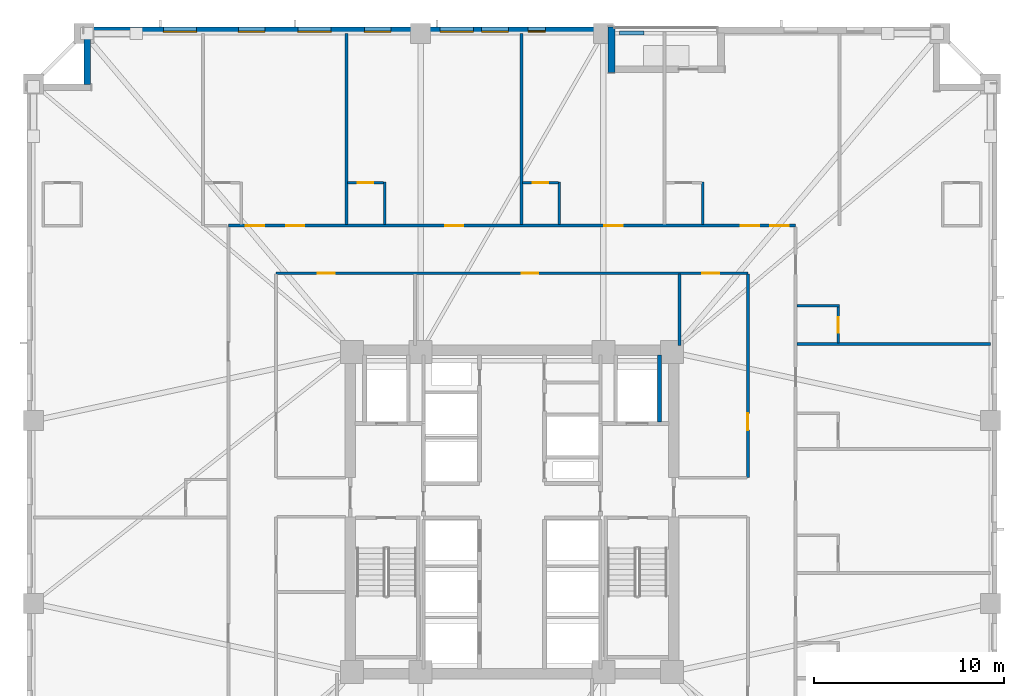
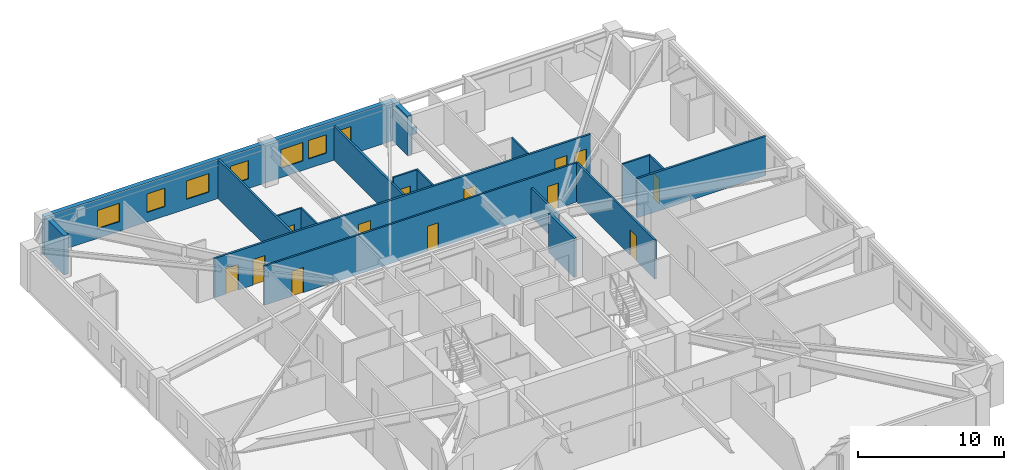
# One storey, part 6 of 11: 19 walls, 13 doors, 7 windows, 20 openings.
"""IFC4 building model written with IfcOpenShell, lengths in metres."""

from ifc_helpers import new_model, si_unit, direction, frame, frame_2d, origin, place, context, subcontext, project, spatial, rectangle, extrude, material, layer, layer_set, type_object, element, fill, save


model = new_model("IFC4")

# Units and contexts
model_context = context("Model", 3, precision=1e-05, world=origin(), true_north=direction((0.0, 1.0)))
body_context = subcontext(model_context, "Body", "Model", "MODEL_VIEW")
ifc_project = project(units=[si_unit("LENGTHUNIT", "METRE"), si_unit("AREAUNIT", "SQUARE_METRE"), si_unit("VOLUMEUNIT", "CUBIC_METRE"), si_unit("PLANEANGLEUNIT", "RADIAN"), si_unit("MASSUNIT", "GRAM", prefix="KILO")], contexts=[model_context])

# Site, building, storey
site_placement = place(None, origin())
site = spatial("IfcSite", under=ifc_project, at=site_placement, CompositionType="ELEMENT")
building_placement = place(site_placement, origin())
building = spatial("IfcBuilding", under=site, at=building_placement, Name="Cairnveth Concourse Tower", CompositionType="ELEMENT")
storey_placement = place(building_placement, frame((0.0, 0.0, 86.5)))
storey = spatial("IfcBuildingStorey", under=building, at=storey_placement, Name="L23", CompositionType="ELEMENT", Elevation=86.5)

# Wall, openings, doors
ifc_material_1 = material(Name="Gypsum Plasterboard Partition", Category="gypsum")
ifc_layer_1 = layer(ifc_material_1, 0.159912109375)
ifc_layer_set_1 = layer_set([ifc_layer_1], Name="Gypsum Plasterboard Partition")
wall_type_1 = type_object("IfcWallType", Name="ACOUSTIC PARTY WALL 180", PredefinedType="PARTITIONING", material=ifc_layer_set_1)
wall_1_placement = place(storey_placement, frame((37.10009765625, 54.050048828125, 0.0), z_axis=(0.0, 0.0, 1.0), x_axis=(1.0, 0.0, 0.0)))
wall_1 = element("IfcWall", 1, at=wall_1_placement, inside=storey, type_object=wall_type_1, Name="Interior Wall IW-L23-039", PredefinedType="PARTITIONING", context=body_context, shape_type="SweptSolid", body=[
    extrude(rectangle(XDim=29.7998046875, YDim=0.159912109375, at=frame_2d((14.89990234375, 0.0))), origin(), (0.0, 0.0, 1.0), 3.280029296875),
])
opening_1_placement = place(wall_1_placement, frame((0.909912109375, 0.0, 0.0)))
opening_1 = element("IfcOpeningElement", 2, at=opening_1_placement, cuts=wall_1, Name="Opening ID09", PredefinedType="OPENING", context=body_context, shape_type="SweptSolid", body=[
    extrude(rectangle(XDim=0.9599609375, YDim=2.14990234375, at=frame_2d((0.47998046875, 1.074951171875))), frame((0.0, 0.08984375, 0.0), z_axis=(0.0, -1.0, 0.0), x_axis=(1.0, 0.0, 0.0)), (0.0, 0.0, 1.0), 0.179931640625),
])
opening_2_placement = place(wall_1_placement, frame((3.030029296875, 0.0, 0.0)))
opening_2 = element("IfcOpeningElement", 3, at=opening_2_placement, cuts=wall_1, Name="Opening ID09", PredefinedType="OPENING", context=body_context, shape_type="SweptSolid", body=[
    extrude(rectangle(XDim=0.9599609375, YDim=2.14990234375, at=frame_2d((0.47998046875, 1.074951171875))), frame((0.0, 0.08984375, 0.0), z_axis=(0.0, -1.0, 0.0), x_axis=(1.0, 0.0, 0.0)), (0.0, 0.0, 1.0), 0.179931640625),
])
opening_3_placement = place(wall_1_placement, frame((11.389892578125, 0.0, 0.0)))
opening_3 = element("IfcOpeningElement", 4, at=opening_3_placement, cuts=wall_1, Name="Opening ID09", PredefinedType="OPENING", context=body_context, shape_type="SweptSolid", body=[
    extrude(rectangle(XDim=0.9599609375, YDim=2.14990234375, at=frame_2d((0.47998046875, 1.074951171875))), frame((0.0, 0.08984375, 0.0), z_axis=(0.0, -1.0, 0.0), x_axis=(1.0, 0.0, 0.0)), (0.0, 0.0, 1.0), 0.179931640625),
])
opening_4_placement = place(wall_1_placement, frame((19.75, 0.0, 0.0)))
opening_4 = element("IfcOpeningElement", 5, at=opening_4_placement, cuts=wall_1, Name="Opening ID09", PredefinedType="OPENING", context=body_context, shape_type="SweptSolid", body=[
    extrude(rectangle(XDim=0.9599609375, YDim=2.14990234375, at=frame_2d((0.47998046875, 1.074951171875))), frame((0.0, 0.08984375, 0.0), z_axis=(0.0, -1.0, 0.0), x_axis=(1.0, 0.0, 0.0)), (0.0, 0.0, 1.0), 0.179931640625),
])
opening_5_placement = place(wall_1_placement, frame((26.931396484375, 0.0, 0.0)))
opening_5 = element("IfcOpeningElement", 6, at=opening_5_placement, cuts=wall_1, Name="Opening ID09", PredefinedType="OPENING", context=body_context, shape_type="SweptSolid", body=[
    extrude(rectangle(XDim=0.9599609375, YDim=2.14990234375, at=frame_2d((0.47998046875, 1.074951171875))), frame((0.0, 0.08984375, 0.0), z_axis=(0.0, -1.0, 0.0), x_axis=(1.0, 0.0, 0.0)), (0.0, 0.0, 1.0), 0.179931640625),
])
opening_6_placement = place(wall_1_placement, frame((28.47998046875, 0.0, 0.0)))
opening_6 = element("IfcOpeningElement", 7, at=opening_6_placement, cuts=wall_1, Name="Opening ID09", PredefinedType="OPENING", context=body_context, shape_type="SweptSolid", body=[
    extrude(rectangle(XDim=0.9599609375, YDim=2.14990234375, at=frame_2d((0.47998046875, 1.074951171875))), frame((0.0, 0.08984375, 0.0), z_axis=(0.0, -1.0, 0.0), x_axis=(1.0, 0.0, 0.0)), (0.0, 0.0, 1.0), 0.179931640625),
])
ifc_material_2 = material(Name="Solid Core Hardwood Timber Leaf", Category="wood")
door_type_1 = type_object("IfcDoorType", Name="HOTEL ENTRANCE DOOR 960X2150", OperationType="NOTDEFINED", PredefinedType="DOOR", material=ifc_material_2)
door_1_placement = place(opening_1_placement, origin())
door_1 = element("IfcDoor", 8, at=door_1_placement, inside=storey, type_object=door_type_1, Name="Hotel Room Door L23-N1", OperationType="SINGLE_SWING_RIGHT", OverallHeight=2.14990234375, OverallWidth=0.9599609375, PredefinedType="DOOR", context=body_context, shape_type="SweptSolid", body=[
    extrude(rectangle(XDim=0.9599609375, YDim=2.14990234375, at=frame_2d((0.47998046875, 1.074951171875))), frame((0.0, 0.02490234375, 0.0), z_axis=(0.0, -1.0, 0.0), x_axis=(1.0, 0.0, 0.0)), (0.0, 0.0, 1.0), 0.050048828125),
])
fill(opening_1, door_1)
door_2_placement = place(opening_2_placement, origin())
door_2 = element("IfcDoor", 9, at=door_2_placement, inside=storey, type_object=door_type_1, Name="Hotel Room Door L23-N2", OperationType="SINGLE_SWING_RIGHT", OverallHeight=2.14990234375, OverallWidth=0.9599609375, PredefinedType="DOOR", context=body_context, shape_type="SweptSolid", body=[
    extrude(rectangle(XDim=0.9599609375, YDim=2.14990234375, at=frame_2d((0.47998046875, 1.074951171875))), frame((0.0, 0.02490234375, 0.0), z_axis=(0.0, -1.0, 0.0), x_axis=(1.0, 0.0, 0.0)), (0.0, 0.0, 1.0), 0.050048828125),
])
fill(opening_2, door_2)
door_3_placement = place(opening_3_placement, origin())
door_3 = element("IfcDoor", 10, at=door_3_placement, inside=storey, type_object=door_type_1, Name="Hotel Room Door L23-N3", OperationType="SINGLE_SWING_RIGHT", OverallHeight=2.14990234375, OverallWidth=0.9599609375, PredefinedType="DOOR", context=body_context, shape_type="SweptSolid", body=[
    extrude(rectangle(XDim=0.9599609375, YDim=2.14990234375, at=frame_2d((0.47998046875, 1.074951171875))), frame((0.0, 0.02490234375, 0.0), z_axis=(0.0, -1.0, 0.0), x_axis=(1.0, 0.0, 0.0)), (0.0, 0.0, 1.0), 0.050048828125),
])
fill(opening_3, door_3)
door_4_placement = place(opening_4_placement, origin())
door_4 = element("IfcDoor", 11, at=door_4_placement, inside=storey, type_object=door_type_1, Name="Hotel Room Door L23-N4", OperationType="SINGLE_SWING_RIGHT", OverallHeight=2.14990234375, OverallWidth=0.9599609375, PredefinedType="DOOR", context=body_context, shape_type="SweptSolid", body=[
    extrude(rectangle(XDim=0.9599609375, YDim=2.14990234375, at=frame_2d((0.47998046875, 1.074951171875))), frame((0.0, 0.02490234375, 0.0), z_axis=(0.0, -1.0, 0.0), x_axis=(1.0, 0.0, 0.0)), (0.0, 0.0, 1.0), 0.050048828125),
])
fill(opening_4, door_4)
door_5_placement = place(opening_5_placement, origin())
door_5 = element("IfcDoor", 12, at=door_5_placement, inside=storey, type_object=door_type_1, Name="Hotel Room Door L23-N5", OperationType="SINGLE_SWING_RIGHT", OverallHeight=2.14990234375, OverallWidth=0.9599609375, PredefinedType="DOOR", context=body_context, shape_type="SweptSolid", body=[
    extrude(rectangle(XDim=0.9599609375, YDim=2.14990234375, at=frame_2d((0.47998046875, 1.074951171875))), frame((0.0, 0.02490234375, 0.0), z_axis=(0.0, -1.0, 0.0), x_axis=(1.0, 0.0, 0.0)), (0.0, 0.0, 1.0), 0.050048828125),
])
fill(opening_5, door_5)
door_6_placement = place(opening_6_placement, origin())
door_6 = element("IfcDoor", 13, at=door_6_placement, inside=storey, type_object=door_type_1, Name="Hotel Room Door L23-N6", OperationType="SINGLE_SWING_RIGHT", OverallHeight=2.14990234375, OverallWidth=0.9599609375, PredefinedType="DOOR", context=body_context, shape_type="SweptSolid", body=[
    extrude(rectangle(XDim=0.9599609375, YDim=2.14990234375, at=frame_2d((0.47998046875, 1.074951171875))), frame((0.0, 0.02490234375, 0.0), z_axis=(0.0, -1.0, 0.0), x_axis=(1.0, 0.0, 0.0)), (0.0, 0.0, 1.0), 0.050048828125),
])
fill(opening_6, door_6)

# Walls
wall_2_placement = place(storey_placement, frame((43.302490234375, 54.114990234375, 0.0), z_axis=(0.0, 0.0, 1.0), x_axis=(0.0, 1.0, 0.0)))
element("IfcWall", 14, at=wall_2_placement, inside=storey, type_object=wall_type_1, Name="Interior Wall IW-L23-075", PredefinedType="PARTITIONING", context=body_context, shape_type="SweptSolid", body=[
    extrude(rectangle(XDim=10.0400390625, YDim=0.159912109375, at=frame_2d((5.02001953125, 0.0))), origin(), (0.0, 0.0, 1.0), 3.280029296875),
])
wall_3_placement = place(storey_placement, frame((52.487548828125, 54.114990234375, 0.0), z_axis=(0.0, 0.0, 1.0), x_axis=(0.0, 1.0, 0.0)))
element("IfcWall", 15, at=wall_3_placement, inside=storey, type_object=wall_type_1, Name="Interior Wall IW-L23-078", PredefinedType="PARTITIONING", context=body_context, shape_type="SweptSolid", body=[
    extrude(rectangle(XDim=10.0400390625, YDim=0.159912109375, at=frame_2d((5.02001953125, 0.0))), origin(), (0.0, 0.0, 1.0), 2.84912109375),
])
wall_4_placement = place(storey_placement, frame((66.965087890625, 47.827392578125, 0.0), z_axis=(0.0, 0.0, 1.0), x_axis=(1.0, 0.0, 0.0)))
element("IfcWall", 16, at=wall_4_placement, inside=storey, type_object=wall_type_1, Name="Interior Wall IW-L23-107", PredefinedType="PARTITIONING", context=body_context, shape_type="SweptSolid", body=[
    extrude(rectangle(XDim=10.18994140625, YDim=0.159912109375, at=frame_2d((5.094970703125, 0.0))), origin(), (0.0, 0.0, 1.0), 3.280029296875),
])
ifc_material_3 = material(Name="Concrete N50 (50 MPa)", Category="concrete")
ifc_layer_2 = layer(ifc_material_3, 0.199951171875)
ifc_layer_set_2 = layer_set([ifc_layer_2], Name="Concrete N50 (50 MPa)")
wall_type_2 = type_object("IfcWallType", Name="FIRE SHAFT WALL 200", PredefinedType="SOLIDWALL", material=ifc_layer_set_2)
wall_5_placement = place(storey_placement, frame((59.75, 43.735107421875, 0.0), z_axis=(0.0, 0.0, 1.0), x_axis=(0.0, 1.0, 0.0)))
element("IfcWall", 17, at=wall_5_placement, inside=storey, type_object=wall_type_2, Name="Interior Wall IW-L23-024", PredefinedType="SOLIDWALL", context=body_context, shape_type="SweptSolid", body=[
    extrude(rectangle(XDim=3.5048828125, YDim=0.199951171875, at=frame_2d((1.75244140625, 0.0))), origin(), (0.0, 0.0, 1.0), 3.280029296875),
])

# Wall, openings, doors
ifc_layer_3 = layer(ifc_material_1, 0.139892578125)
ifc_layer_set_3 = layer_set([ifc_layer_3], Name="Gypsum Plasterboard Partition")
wall_type_3 = type_object("IfcWallType", Name="GYPSUM STUD PARTITION 140", PredefinedType="PARTITIONING", material=ifc_layer_set_3)
wall_6_placement = place(storey_placement, frame((39.60009765625, 51.550048828125, 0.0), z_axis=(0.0, 0.0, 1.0), x_axis=(1.0, 0.0, 0.0)))
wall_6 = element("IfcWall", 18, at=wall_6_placement, inside=storey, type_object=wall_type_3, Name="Interior Wall IW-L23-043", PredefinedType="PARTITIONING", context=body_context, shape_type="SweptSolid", body=[
    extrude(rectangle(XDim=24.7998046875, YDim=0.139892578125, at=frame_2d((12.39990234375, 0.0))), origin(), (0.0, 0.0, 1.0), 3.280029296875),
])
opening_7_placement = place(wall_6_placement, frame((2.199951171875, 0.0, 0.0)))
opening_7 = element("IfcOpeningElement", 19, at=opening_7_placement, cuts=wall_6, Name="Opening ID18", PredefinedType="OPENING", context=body_context, shape_type="SweptSolid", body=[
    extrude(rectangle(XDim=0.8798828125, YDim=2.10009765625, at=frame_2d((0.43994140625, 1.050048828125))), frame((0.0, 0.079833984375, 0.0), z_axis=(0.0, -1.0, 0.0), x_axis=(1.0, 0.0, 0.0)), (0.0, 0.0, 1.0), 0.159912109375),
])
opening_8_placement = place(wall_6_placement, frame((12.89990234375, 0.0, 0.0)))
opening_8 = element("IfcOpeningElement", 20, at=opening_8_placement, cuts=wall_6, Name="Opening ID18", PredefinedType="OPENING", context=body_context, shape_type="SweptSolid", body=[
    extrude(rectangle(XDim=0.8798828125, YDim=2.10009765625, at=frame_2d((0.43994140625, 1.050048828125))), frame((0.0, 0.079833984375, 0.0), z_axis=(0.0, -1.0, 0.0), x_axis=(1.0, 0.0, 0.0)), (0.0, 0.0, 1.0), 0.159912109375),
])
opening_9_placement = place(wall_6_placement, frame((22.39990234375, 0.0, 0.0)))
opening_9 = element("IfcOpeningElement", 21, at=opening_9_placement, cuts=wall_6, Name="Opening ID18", PredefinedType="OPENING", context=body_context, shape_type="SweptSolid", body=[
    extrude(rectangle(XDim=0.8798828125, YDim=2.10009765625, at=frame_2d((0.43994140625, 1.050048828125))), frame((0.0, 0.079833984375, 0.0), z_axis=(0.0, -1.0, 0.0), x_axis=(1.0, 0.0, 0.0)), (0.0, 0.0, 1.0), 0.159912109375),
])
door_type_2 = type_object("IfcDoorType", Name="INTERIOR SINGLE DOOR 880X2100", OperationType="NOTDEFINED", PredefinedType="DOOR", material=ifc_material_2)
door_7_placement = place(opening_7_placement, origin())
door_7 = element("IfcDoor", 22, at=door_7_placement, inside=storey, type_object=door_type_2, Name="Interior Door DR-L23-017", OperationType="SINGLE_SWING_LEFT", OverallHeight=2.10009765625, OverallWidth=0.8798828125, PredefinedType="DOOR", context=body_context, shape_type="SweptSolid", body=[
    extrude(rectangle(XDim=0.8798828125, YDim=2.10009765625, at=frame_2d((0.43994140625, 1.050048828125))), frame((0.0, 0.02490234375, 0.0), z_axis=(0.0, -1.0, 0.0), x_axis=(1.0, 0.0, 0.0)), (0.0, 0.0, 1.0), 0.050048828125),
])
fill(opening_7, door_7)
door_8_placement = place(opening_8_placement, origin())
door_8 = element("IfcDoor", 23, at=door_8_placement, inside=storey, type_object=door_type_2, Name="Interior Door DR-L23-018", OperationType="SINGLE_SWING_RIGHT", OverallHeight=2.10009765625, OverallWidth=0.8798828125, PredefinedType="DOOR", context=body_context, shape_type="SweptSolid", body=[
    extrude(rectangle(XDim=0.8798828125, YDim=2.10009765625, at=frame_2d((0.43994140625, 1.050048828125))), frame((0.0, 0.02490234375, 0.0), z_axis=(0.0, -1.0, 0.0), x_axis=(1.0, 0.0, 0.0)), (0.0, 0.0, 1.0), 0.050048828125),
])
fill(opening_8, door_8)
door_9_placement = place(opening_9_placement, origin())
door_9 = element("IfcDoor", 24, at=door_9_placement, inside=storey, type_object=door_type_2, Name="Interior Door DR-L23-019", OperationType="SINGLE_SWING_LEFT", OverallHeight=2.10009765625, OverallWidth=0.8798828125, PredefinedType="DOOR", context=body_context, shape_type="SweptSolid", body=[
    extrude(rectangle(XDim=0.8798828125, YDim=2.10009765625, at=frame_2d((0.43994140625, 1.050048828125))), frame((0.0, 0.02490234375, 0.0), z_axis=(0.0, -1.0, 0.0), x_axis=(1.0, 0.0, 0.0)), (0.0, 0.0, 1.0), 0.050048828125),
])
fill(opening_9, door_9)

# Wall, opening, door
wall_7_placement = place(storey_placement, frame((64.39990234375, 40.800048828125, 0.0), z_axis=(0.0, 0.0, 1.0), x_axis=(0.0, 1.0, 0.0)))
wall_7 = element("IfcWall", 25, at=wall_7_placement, inside=storey, type_object=wall_type_3, Name="Interior Wall IW-L23-049", PredefinedType="PARTITIONING", context=body_context, shape_type="SweptSolid", body=[
    extrude(rectangle(XDim=10.695068359375, YDim=0.139892578125, at=frame_2d((5.34765625, 0.0))), origin(), (0.0, 0.0, 1.0), 3.280029296875),
])
opening_10_placement = place(wall_7_placement, frame((2.5, 0.0, 0.0)))
opening_10 = element("IfcOpeningElement", 26, at=opening_10_placement, cuts=wall_7, Name="Opening ID18", PredefinedType="OPENING", context=body_context, shape_type="SweptSolid", body=[
    extrude(rectangle(XDim=0.8798828125, YDim=2.10009765625, at=frame_2d((0.43994140625, 1.050048828125))), frame((0.0, 0.079833984375, 0.0), z_axis=(0.0, -1.0, 0.0), x_axis=(1.0, 0.0, 0.0)), (0.0, 0.0, 1.0), 0.159912109375),
])
door_10_placement = place(opening_10_placement, origin())
door_10 = element("IfcDoor", 27, at=door_10_placement, inside=storey, type_object=door_type_2, Name="Interior Door DR-L23-024", OperationType="SINGLE_SWING_RIGHT", OverallHeight=2.10009765625, OverallWidth=0.8798828125, PredefinedType="DOOR", context=body_context, shape_type="SweptSolid", body=[
    extrude(rectangle(XDim=0.8798828125, YDim=2.10009765625, at=frame_2d((0.43994140625, 1.050048828125))), frame((0.0, 0.02490234375, 0.0), z_axis=(0.0, -1.0, 0.0), x_axis=(1.0, 0.0, 0.0)), (0.0, 0.0, 1.0), 0.050048828125),
])
fill(opening_10, door_10)

# Walls
wall_8_placement = place(storey_placement, frame((60.800048828125, 47.760009765625, 0.0), z_axis=(0.0, 0.0, 1.0), x_axis=(0.0, 1.0, 0.0)))
element("IfcWall", 28, at=wall_8_placement, inside=storey, type_object=wall_type_3, Name="Interior Wall IW-L23-055", PredefinedType="PARTITIONING", context=body_context, shape_type="SweptSolid", body=[
    extrude(rectangle(XDim=3.735107421875, YDim=0.139892578125, at=frame_2d((1.86767578125, 0.0))), origin(), (0.0, 0.0, 1.0), 2.43896484375),
])
ifc_material_4 = material(Name="Dressed Melbourne Bluestone Cladding", Category="masonry")
ifc_layer_4 = layer(ifc_material_4, 0.219970703125)
ifc_layer_set_4 = layer_set([ifc_layer_4], Name="Dressed Melbourne Bluestone Cladding")
wall_type_4 = type_object("IfcWallType", Name="TERRACE PLANTER CURB WALL 220", PredefinedType="PARAPET", material=ifc_layer_set_4)
wall_9_placement = place(storey_placement, frame((57.64990234375, 64.179931640625, 0.0), z_axis=(0.0, 0.0, 1.0), x_axis=(1.0, 0.0, 0.0)))
element("IfcWall", 29, at=wall_9_placement, inside=storey, type_object=wall_type_4, Name="Exterior Wall PLNT-L23-TERR", PredefinedType="PARAPET", context=body_context, shape_type="SweptSolid", body=[
    extrude(rectangle(XDim=1.300048828125, YDim=0.219970703125, at=frame_2d((0.64990234375, 0.0))), origin(), (0.0, 0.0, 1.0), 0.550048828125),
])
ifc_layer_5 = layer(ifc_material_1, 0.1298828125)
ifc_layer_set_5 = layer_set([ifc_layer_5], Name="Gypsum Plasterboard Partition")
wall_type_5 = type_object("IfcWallType", Name="WET AREA PARTITION 140", PredefinedType="PLUMBINGWALL", material=ifc_layer_set_5)
wall_10_placement = place(storey_placement, frame((45.302490234375, 54.114990234375, 0.0), z_axis=(0.0, 0.0, 1.0), x_axis=(0.0, 1.0, 0.0)))
element("IfcWall", 30, at=wall_10_placement, inside=storey, type_object=wall_type_5, Name="Interior Wall IW-L23-076", PredefinedType="PLUMBINGWALL", context=body_context, shape_type="SweptSolid", body=[
    extrude(rectangle(XDim=2.235107421875, YDim=0.1298828125, at=frame_2d((1.11767578125, 0.0))), origin(), (0.0, 0.0, 1.0), 3.280029296875),
])

# Wall, opening, door
wall_11_placement = place(storey_placement, frame((43.367431640625, 56.300048828125, 0.0), z_axis=(0.0, 0.0, 1.0), x_axis=(1.0, 0.0, 0.0)))
wall_11 = element("IfcWall", 31, at=wall_11_placement, inside=storey, type_object=wall_type_5, Name="Interior Wall IW-L23-077", PredefinedType="PLUMBINGWALL", context=body_context, shape_type="SweptSolid", body=[
    extrude(rectangle(XDim=1.885009765625, YDim=0.1298828125, at=frame_2d((0.9423828125, 0.0))), origin(), (0.0, 0.0, 1.0), 3.280029296875),
])
opening_11_placement = place(wall_11_placement, frame((0.52490234375, 0.0, 0.0)))
opening_11 = element("IfcOpeningElement", 32, at=opening_11_placement, cuts=wall_11, Name="Opening ID22", PredefinedType="OPENING", context=body_context, shape_type="SweptSolid", body=[
    extrude(rectangle(XDim=0.820068359375, YDim=2.10009765625, at=frame_2d((0.41015625, 1.050048828125))), frame((0.0, 0.074951171875, 0.0), z_axis=(0.0, -1.0, 0.0), x_axis=(1.0, 0.0, 0.0)), (0.0, 0.0, 1.0), 0.14990234375),
])
door_type_3 = type_object("IfcDoorType", Name="INTERIOR WC DOOR 820X2100", OperationType="NOTDEFINED", PredefinedType="DOOR", material=ifc_material_2)
door_11_placement = place(opening_11_placement, origin())
door_11 = element("IfcDoor", 33, at=door_11_placement, inside=storey, type_object=door_type_3, Name="En-Suite Door L23-N3", OperationType="SINGLE_SWING_LEFT", OverallHeight=2.10009765625, OverallWidth=0.820068359375, PredefinedType="DOOR", context=body_context, shape_type="SweptSolid", body=[
    extrude(rectangle(XDim=0.820068359375, YDim=2.10009765625, at=frame_2d((0.41015625, 1.050048828125))), frame((0.0, 0.02490234375, 0.0), z_axis=(0.0, -1.0, 0.0), x_axis=(1.0, 0.0, 0.0)), (0.0, 0.0, 1.0), 0.050048828125),
])
fill(opening_11, door_11)

# Wall
wall_12_placement = place(storey_placement, frame((54.487548828125, 54.114990234375, 0.0), z_axis=(0.0, 0.0, 1.0), x_axis=(0.0, 1.0, 0.0)))
element("IfcWall", 34, at=wall_12_placement, inside=storey, type_object=wall_type_5, Name="Interior Wall IW-L23-079", PredefinedType="PLUMBINGWALL", context=body_context, shape_type="SweptSolid", body=[
    extrude(rectangle(XDim=2.235107421875, YDim=0.1298828125, at=frame_2d((1.11767578125, 0.0))), origin(), (0.0, 0.0, 1.0), 3.280029296875),
])

# Wall, opening, door
wall_13_placement = place(storey_placement, frame((52.552490234375, 56.300048828125, 0.0), z_axis=(0.0, 0.0, 1.0), x_axis=(1.0, 0.0, 0.0)))
wall_13 = element("IfcWall", 35, at=wall_13_placement, inside=storey, type_object=wall_type_5, Name="Interior Wall IW-L23-080", PredefinedType="PLUMBINGWALL", context=body_context, shape_type="SweptSolid", body=[
    extrude(rectangle(XDim=1.885009765625, YDim=0.1298828125, at=frame_2d((0.9423828125, 0.0))), origin(), (0.0, 0.0, 1.0), 3.280029296875),
])
opening_12_placement = place(wall_13_placement, frame((0.52490234375, 0.0, 0.0)))
opening_12 = element("IfcOpeningElement", 36, at=opening_12_placement, cuts=wall_13, Name="Opening ID22", PredefinedType="OPENING", context=body_context, shape_type="SweptSolid", body=[
    extrude(rectangle(XDim=0.820068359375, YDim=2.10009765625, at=frame_2d((0.41015625, 1.050048828125))), frame((0.0, 0.074951171875, 0.0), z_axis=(0.0, -1.0, 0.0), x_axis=(1.0, 0.0, 0.0)), (0.0, 0.0, 1.0), 0.14990234375),
])
door_12_placement = place(opening_12_placement, origin())
door_12 = element("IfcDoor", 37, at=door_12_placement, inside=storey, type_object=door_type_3, Name="En-Suite Door L23-N4", OperationType="SINGLE_SWING_LEFT", OverallHeight=2.10009765625, OverallWidth=0.820068359375, PredefinedType="DOOR", context=body_context, shape_type="SweptSolid", body=[
    extrude(rectangle(XDim=0.820068359375, YDim=2.10009765625, at=frame_2d((0.41015625, 1.050048828125))), frame((0.0, 0.02490234375, 0.0), z_axis=(0.0, -1.0, 0.0), x_axis=(1.0, 0.0, 0.0)), (0.0, 0.0, 1.0), 0.050048828125),
])
fill(opening_12, door_12)

# Walls
wall_14_placement = place(storey_placement, frame((62.0224609375, 54.114990234375, 0.0), z_axis=(0.0, 0.0, 1.0), x_axis=(0.0, 1.0, 0.0)))
element("IfcWall", 38, at=wall_14_placement, inside=storey, type_object=wall_type_5, Name="Interior Wall IW-L23-082", PredefinedType="PLUMBINGWALL", context=body_context, shape_type="SweptSolid", body=[
    extrude(rectangle(XDim=2.235107421875, YDim=0.1298828125, at=frame_2d((1.11767578125, 0.0))), origin(), (0.0, 0.0, 1.0), 3.280029296875),
])
wall_15_placement = place(storey_placement, frame((66.965087890625, 49.827392578125, 0.0), z_axis=(0.0, 0.0, 1.0), x_axis=(1.0, 0.0, 0.0)))
element("IfcWall", 39, at=wall_15_placement, inside=storey, type_object=wall_type_5, Name="Interior Wall IW-L23-108", PredefinedType="PLUMBINGWALL", context=body_context, shape_type="SweptSolid", body=[
    extrude(rectangle(XDim=2.23486328125, YDim=0.1298828125, at=frame_2d((1.117431640625, 0.0))), origin(), (0.0, 0.0, 1.0), 3.280029296875),
])

# Wall, opening, door
wall_16_placement = place(storey_placement, frame((69.14990234375, 47.892578125, 0.0), z_axis=(0.0, 0.0, 1.0), x_axis=(0.0, 1.0, 0.0)))
wall_16 = element("IfcWall", 40, at=wall_16_placement, inside=storey, type_object=wall_type_5, Name="Interior Wall IW-L23-109", PredefinedType="PLUMBINGWALL", context=body_context, shape_type="SweptSolid", body=[
    extrude(rectangle(XDim=1.885009765625, YDim=0.1298828125, at=frame_2d((0.9423828125, 0.0))), origin(), (0.0, 0.0, 1.0), 3.280029296875),
])
opening_13_placement = place(wall_16_placement, frame((0.52490234375, 0.0, 0.0)))
opening_13 = element("IfcOpeningElement", 41, at=opening_13_placement, cuts=wall_16, Name="Opening ID22", PredefinedType="OPENING", context=body_context, shape_type="SweptSolid", body=[
    extrude(rectangle(XDim=0.820068359375, YDim=2.10009765625, at=frame_2d((0.41015625, 1.050048828125))), frame((0.0, 0.074951171875, 0.0), z_axis=(0.0, -1.0, 0.0), x_axis=(1.0, 0.0, 0.0)), (0.0, 0.0, 1.0), 0.14990234375),
])
door_13_placement = place(opening_13_placement, origin())
door_13 = element("IfcDoor", 42, at=door_13_placement, inside=storey, type_object=door_type_3, Name="En-Suite Door L23-E5", OperationType="SINGLE_SWING_LEFT", OverallHeight=2.10009765625, OverallWidth=0.820068359375, PredefinedType="DOOR", context=body_context, shape_type="SweptSolid", body=[
    extrude(rectangle(XDim=0.820068359375, YDim=2.10009765625, at=frame_2d((0.41015625, 1.050048828125))), frame((0.0, 0.02490234375, 0.0), z_axis=(0.0, -1.0, 0.0), x_axis=(1.0, 0.0, 0.0)), (0.0, 0.0, 1.0), 0.050048828125),
])
fill(opening_13, door_13)

# Wall
ifc_material_5 = material(Name="Hawthorn Red-Ochre Fired Clay Brick Masonry", Category="masonry")
ifc_layer_6 = layer(ifc_material_5, 0.360107421875)
ifc_layer_set_6 = layer_set([ifc_layer_6], Name="Hawthorn Red-Ochre Fired Clay Brick Masonry")
wall_type_6 = type_object("IfcWallType", Name="ZONE 1 BRICK PIER SPANDREL WALL 360", PredefinedType="SOLIDWALL", material=ifc_layer_set_6)
wall_17_placement = place(storey_placement, frame((29.679931640625, 61.47802734375, 0.0), z_axis=(0.0, 0.0, 1.0), x_axis=(0.0, 1.0, 0.0)))
element("IfcWall", 43, at=wall_17_placement, inside=storey, type_object=wall_type_6, Name="Exterior Wall EW-L23-S11", PredefinedType="SOLIDWALL", context=body_context, shape_type="SweptSolid", body=[
    extrude(rectangle(XDim=2.68408203125, YDim=0.360107421875, at=frame_2d((1.342041015625, 0.0))), origin(), (0.0, 0.0, 1.0), 3.280029296875),
])

# Wall, openings, windows
wall_18_placement = place(storey_placement, frame((29.5, 64.320068359375, 0.0), z_axis=(0.0, 0.0, 1.0), x_axis=(1.0, 0.0, 0.0)))
wall_18 = element("IfcWall", 44, at=wall_18_placement, inside=storey, type_object=wall_type_6, Name="Exterior Wall EW-L23-S12", PredefinedType="SOLIDWALL", context=body_context, shape_type="SweptSolid", body=[
    extrude(rectangle(XDim=27.56201171875, YDim=0.360107421875, at=frame_2d((13.781005859375, 0.0))), origin(), (0.0, 0.0, 1.0), 3.280029296875),
])
opening_14_placement = place(wall_18_placement, frame((4.18017578125, 0.0, 0.800048828125)))
opening_14 = element("IfcOpeningElement", 45, at=opening_14_placement, cuts=wall_18, Name="Opening W06", PredefinedType="OPENING", context=body_context, shape_type="SweptSolid", body=[
    extrude(rectangle(XDim=1.75, YDim=1.5439453125, at=frame_2d((0.875, 0.77197265625))), frame((0.0, 0.18994140625, 0.0), z_axis=(0.0, -1.0, 0.0), x_axis=(1.0, 0.0, 0.0)), (0.0, 0.0, 1.0), 0.380126953125),
])
opening_15_placement = place(wall_18_placement, frame((8.115478515625, 0.0, 0.800048828125)))
opening_15 = element("IfcOpeningElement", 46, at=opening_15_placement, cuts=wall_18, Name="Opening W05", PredefinedType="OPENING", context=body_context, shape_type="SweptSolid", body=[
    extrude(rectangle(XDim=1.39990234375, YDim=1.5439453125, at=frame_2d((0.699951171875, 0.77197265625))), frame((0.0, 0.18994140625, 0.0), z_axis=(0.0, -1.0, 0.0), x_axis=(1.0, 0.0, 0.0)), (0.0, 0.0, 1.0), 0.380126953125),
])
opening_16_placement = place(wall_18_placement, frame((11.250732421875, 0.0, 0.800048828125)))
opening_16 = element("IfcOpeningElement", 47, at=opening_16_placement, cuts=wall_18, Name="Opening W06", PredefinedType="OPENING", context=body_context, shape_type="SweptSolid", body=[
    extrude(rectangle(XDim=1.75, YDim=1.5439453125, at=frame_2d((0.875, 0.77197265625))), frame((0.0, 0.18994140625, 0.0), z_axis=(0.0, -1.0, 0.0), x_axis=(1.0, 0.0, 0.0)), (0.0, 0.0, 1.0), 0.380126953125),
])
opening_17_placement = place(wall_18_placement, frame((14.736083984375, 0.0, 0.800048828125)))
opening_17 = element("IfcOpeningElement", 48, at=opening_17_placement, cuts=wall_18, Name="Opening W05", PredefinedType="OPENING", context=body_context, shape_type="SweptSolid", body=[
    extrude(rectangle(XDim=1.39990234375, YDim=1.5439453125, at=frame_2d((0.699951171875, 0.77197265625))), frame((0.0, 0.18994140625, 0.0), z_axis=(0.0, -1.0, 0.0), x_axis=(1.0, 0.0, 0.0)), (0.0, 0.0, 1.0), 0.380126953125),
])
opening_18_placement = place(wall_18_placement, frame((18.721435546875, 0.0, 0.800048828125)))
opening_18 = element("IfcOpeningElement", 49, at=opening_18_placement, cuts=wall_18, Name="Opening W06", PredefinedType="OPENING", context=body_context, shape_type="SweptSolid", body=[
    extrude(rectangle(XDim=1.75, YDim=1.5439453125, at=frame_2d((0.875, 0.77197265625))), frame((0.0, 0.18994140625, 0.0), z_axis=(0.0, -1.0, 0.0), x_axis=(1.0, 0.0, 0.0)), (0.0, 0.0, 1.0), 0.380126953125),
])
opening_19_placement = place(wall_18_placement, frame((20.90673828125, 0.0, 0.800048828125)))
opening_19 = element("IfcOpeningElement", 50, at=opening_19_placement, cuts=wall_18, Name="Opening W05", PredefinedType="OPENING", context=body_context, shape_type="SweptSolid", body=[
    extrude(rectangle(XDim=1.39990234375, YDim=1.5439453125, at=frame_2d((0.699951171875, 0.77197265625))), frame((0.0, 0.18994140625, 0.0), z_axis=(0.0, -1.0, 0.0), x_axis=(1.0, 0.0, 0.0)), (0.0, 0.0, 1.0), 0.380126953125),
])
opening_20_placement = place(wall_18_placement, frame((23.35009765625, 0.0, 0.800048828125)))
opening_20 = element("IfcOpeningElement", 51, at=opening_20_placement, cuts=wall_18, Name="Opening W13", PredefinedType="OPENING", context=body_context, shape_type="SweptSolid", body=[
    extrude(rectangle(XDim=0.89990234375, YDim=1.5439453125, at=frame_2d((0.449951171875, 0.77197265625))), frame((0.0, 0.18994140625, 0.0), z_axis=(0.0, -1.0, 0.0), x_axis=(1.0, 0.0, 0.0)), (0.0, 0.0, 1.0), 0.380126953125),
])
ifc_material_6 = material(Name="Double Glazed Low-E Clear Glass", Category="glass")
window_type_1 = type_object("IfcWindowType", Name="DEEP-SET BEDROOM LANCET WINDOW 900X1750", PartitioningType="DOUBLE_PANEL_VERTICAL", PredefinedType="WINDOW", material=ifc_material_6)
window_1_placement = place(opening_20_placement, origin())
window_1 = element("IfcWindow", 52, at=window_1_placement, inside=storey, type_object=window_type_1, Name="Dwelling Lancet Window L23-DW1", OverallHeight=1.5439453125, OverallWidth=0.89990234375, PartitioningType="SINGLE_PANEL", PredefinedType="WINDOW", context=body_context, shape_type="SweptSolid", body=[
    extrude(rectangle(XDim=0.89990234375, YDim=1.5439453125, at=frame_2d((0.449951171875, 0.77197265625))), frame((0.0, -0.0400390625, 0.0), z_axis=(0.0, -1.0, 0.0), x_axis=(1.0, 0.0, 0.0)), (0.0, 0.0, 1.0), 0.06005859375),
])
fill(opening_20, window_1)
window_type_2 = type_object("IfcWindowType", Name="DEEP-SET HOTEL CASEMENT WINDOW 1400X1750", PartitioningType="DOUBLE_PANEL_VERTICAL", PredefinedType="WINDOW", material=ifc_material_6)
window_2_placement = place(opening_15_placement, origin())
window_2 = element("IfcWindow", 53, at=window_2_placement, inside=storey, type_object=window_type_2, Name="Gothic Lancet Window L23-12-2", OverallHeight=1.5439453125, OverallWidth=1.39990234375, PartitioningType="SINGLE_PANEL", PredefinedType="WINDOW", context=body_context, shape_type="SweptSolid", body=[
    extrude(rectangle(XDim=1.39990234375, YDim=1.5439453125, at=frame_2d((0.699951171875, 0.77197265625))), frame((0.0, -0.050048828125, 0.0), z_axis=(0.0, -1.0, 0.0), x_axis=(1.0, 0.0, 0.0)), (0.0, 0.0, 1.0), 0.06005859375),
])
fill(opening_15, window_2)
window_3_placement = place(opening_17_placement, origin())
window_3 = element("IfcWindow", 54, at=window_3_placement, inside=storey, type_object=window_type_2, Name="Gothic Lancet Window L23-12-4", OverallHeight=1.5439453125, OverallWidth=1.39990234375, PartitioningType="SINGLE_PANEL", PredefinedType="WINDOW", context=body_context, shape_type="SweptSolid", body=[
    extrude(rectangle(XDim=1.39990234375, YDim=1.5439453125, at=frame_2d((0.699951171875, 0.77197265625))), frame((0.0, -0.050048828125, 0.0), z_axis=(0.0, -1.0, 0.0), x_axis=(1.0, 0.0, 0.0)), (0.0, 0.0, 1.0), 0.06005859375),
])
fill(opening_17, window_3)
window_4_placement = place(opening_19_placement, origin())
window_4 = element("IfcWindow", 55, at=window_4_placement, inside=storey, type_object=window_type_2, Name="Gothic Lancet Window L23-12-6", OverallHeight=1.5439453125, OverallWidth=1.39990234375, PartitioningType="SINGLE_PANEL", PredefinedType="WINDOW", context=body_context, shape_type="SweptSolid", body=[
    extrude(rectangle(XDim=1.39990234375, YDim=1.5439453125, at=frame_2d((0.699951171875, 0.77197265625))), frame((0.0, -0.050048828125, 0.0), z_axis=(0.0, -1.0, 0.0), x_axis=(1.0, 0.0, 0.0)), (0.0, 0.0, 1.0), 0.06005859375),
])
fill(opening_19, window_4)
window_type_3 = type_object("IfcWindowType", Name="DEEP-SET HOTEL SUITE WINDOW 1750X1800", PartitioningType="DOUBLE_PANEL_VERTICAL", PredefinedType="WINDOW", material=ifc_material_6)
window_5_placement = place(opening_14_placement, origin())
window_5 = element("IfcWindow", 56, at=window_5_placement, inside=storey, type_object=window_type_3, Name="Gothic Lancet Window L23-12-1", OverallHeight=1.5439453125, OverallWidth=1.75, PartitioningType="SINGLE_PANEL", PredefinedType="WINDOW", context=body_context, shape_type="SweptSolid", body=[
    extrude(rectangle(XDim=1.75, YDim=1.5439453125, at=frame_2d((0.875, 0.77197265625))), frame((0.0, -0.050048828125, 0.0), z_axis=(0.0, -1.0, 0.0), x_axis=(1.0, 0.0, 0.0)), (0.0, 0.0, 1.0), 0.06005859375),
])
fill(opening_14, window_5)
window_6_placement = place(opening_16_placement, origin())
window_6 = element("IfcWindow", 57, at=window_6_placement, inside=storey, type_object=window_type_3, Name="Gothic Lancet Window L23-12-3", OverallHeight=1.5439453125, OverallWidth=1.75, PartitioningType="SINGLE_PANEL", PredefinedType="WINDOW", context=body_context, shape_type="SweptSolid", body=[
    extrude(rectangle(XDim=1.75, YDim=1.5439453125, at=frame_2d((0.875, 0.77197265625))), frame((0.0, -0.050048828125, 0.0), z_axis=(0.0, -1.0, 0.0), x_axis=(1.0, 0.0, 0.0)), (0.0, 0.0, 1.0), 0.06005859375),
])
fill(opening_16, window_6)
window_7_placement = place(opening_18_placement, origin())
window_7 = element("IfcWindow", 58, at=window_7_placement, inside=storey, type_object=window_type_3, Name="Gothic Lancet Window L23-12-5", OverallHeight=1.5439453125, OverallWidth=1.75, PartitioningType="SINGLE_PANEL", PredefinedType="WINDOW", context=body_context, shape_type="SweptSolid", body=[
    extrude(rectangle(XDim=1.75, YDim=1.5439453125, at=frame_2d((0.875, 0.77197265625))), frame((0.0, -0.050048828125, 0.0), z_axis=(0.0, -1.0, 0.0), x_axis=(1.0, 0.0, 0.0)), (0.0, 0.0, 1.0), 0.06005859375),
])
fill(opening_18, window_7)

# Wall
wall_19_placement = place(storey_placement, frame((57.219970703125, 64.5, 0.0), z_axis=(0.0, 0.0, 1.0), x_axis=(0.0, -1.0, 0.0)))
element("IfcWall", 59, at=wall_19_placement, inside=storey, type_object=wall_type_6, Name="Exterior Wall EW-L23-S13", PredefinedType="SOLIDWALL", context=body_context, shape_type="SweptSolid", body=[
    extrude(rectangle(XDim=2.409912109375, YDim=0.360107421875, at=frame_2d((1.205078125, 0.0))), origin(), (0.0, 0.0, 1.0), 3.280029296875),
])

save(model, "model.ifc")
